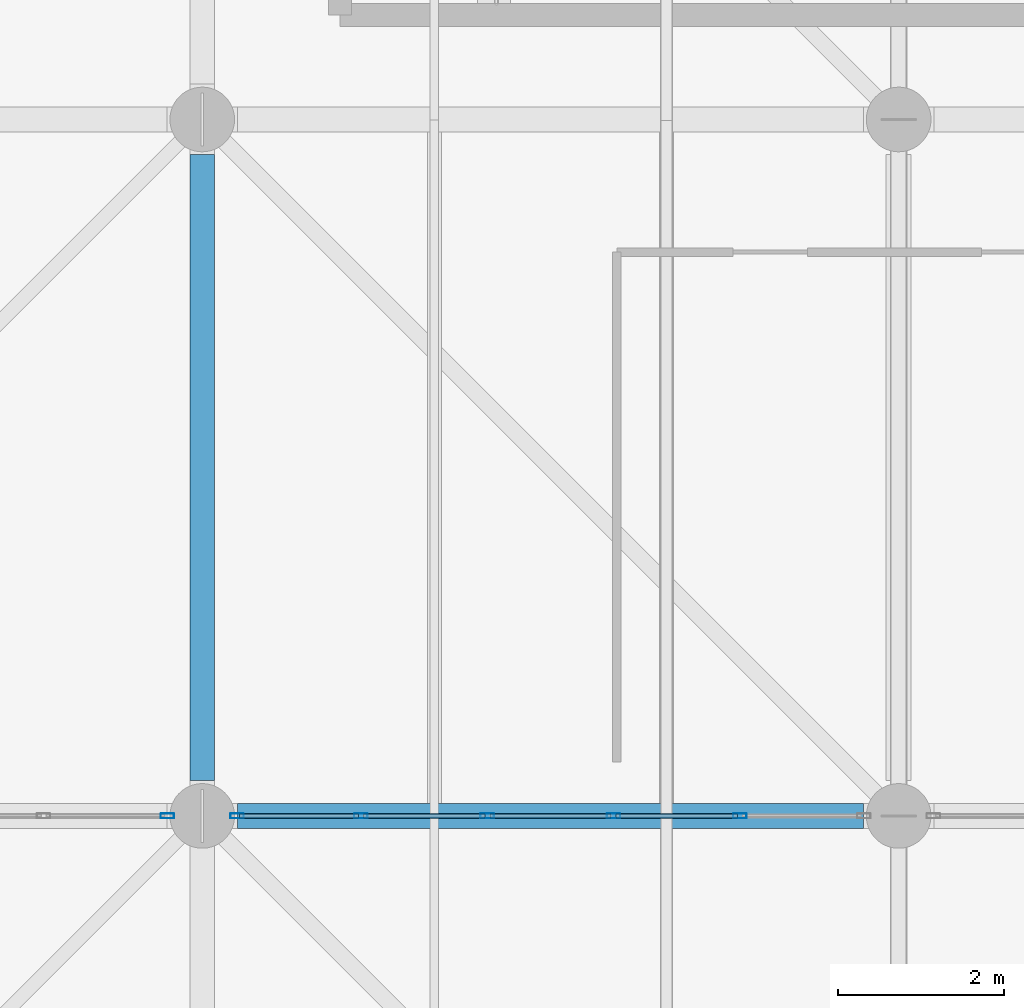
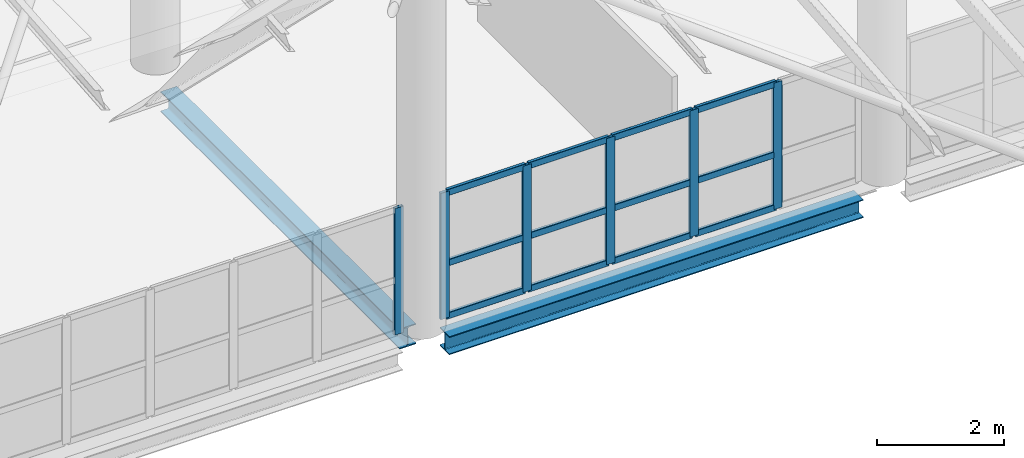
# One storey, part 29 of 95: 18 members, 2 beams, 2 elements without a shape of their own.
"""IFC4 building model written with IfcOpenShell, lengths in metres."""

from ifc_helpers import new_model, si_unit, direction, frame, origin, origin_2d, place, context, subcontext, project, spatial, hollow_rectangle, i_section, extrude, material, layer, layer_set, material_profile, profile_set, type_object, element, aggregate, save


model = new_model("IFC4")

# Units and contexts
model_context = context("Model", 3, precision=1e-05, world=origin(), true_north=direction((0.0, 1.0)))
body_context = subcontext(model_context, "Body", "Model", "MODEL_VIEW")
ifc_project = project(units=[si_unit("LENGTHUNIT", "METRE"), si_unit("AREAUNIT", "SQUARE_METRE"), si_unit("VOLUMEUNIT", "CUBIC_METRE"), si_unit("PLANEANGLEUNIT", "RADIAN"), si_unit("MASSUNIT", "GRAM", prefix="KILO"), si_unit("THERMODYNAMICTEMPERATUREUNIT", "KELVIN"), si_unit("POWERUNIT", "WATT")], contexts=[model_context])

# Site, building, storey
site_placement = place(None, origin())
site = spatial("IfcSite", under=ifc_project, at=site_placement, CompositionType="ELEMENT")
building_placement = place(site_placement, origin())
building = spatial("IfcBuilding", under=site, at=building_placement, Name="Mavoryth Pier Ferry Terminal", CompositionType="ELEMENT")
storey_placement = place(building_placement, frame((0.0, 0.0, 9.60009765625)))
storey = spatial("IfcBuildingStorey", under=building, at=storey_placement, Name="L02", CompositionType="ELEMENT", Elevation=9.60009765625)

# Beam
ifc_material_1 = material(Name="Steel S355J2", Category="steel")
ifc_material_profile_1 = material_profile(ifc_material_1, i_section(OverallWidth=0.300048828125, OverallDepth=0.389892578125, WebThickness=0.010986328125, FlangeThickness=0.01904296875, FilletRadius=0.027099609375, at=origin_2d()), Name="HEA 400", Category="steel")
ifc_profile_set_1 = profile_set([ifc_material_profile_1], Name="Steel S355J2 - HEA 400")
beam_type_1 = type_object("IfcBeamType", Name="Beam-Steel-HEA400", PredefinedType="BEAM", material=ifc_profile_set_1)
beam_1_placement = place(storey_placement, frame((16.800048828125, 72.824951171875, -0.47509765625), z_axis=(0.0, 1.0, 0.0), x_axis=(-1.0, 0.0, 0.0)))
element("IfcBeam", 1, at=beam_1_placement, inside=storey, type_object=beam_type_1, Name="Beam B02-SB04-0638", PredefinedType="BEAM", context=body_context, shape_type="SweptSolid", body=[
    extrude(i_section(OverallWidth=0.300048828125, OverallDepth=0.389892578125, WebThickness=0.010986328125, FlangeThickness=0.01904296875, FilletRadius=0.027099609375, at=origin_2d()), origin(), (0.0, 0.0, 1.0), 7.550048828125),
])

# Curtain wall, member
ifc_material_2 = material(Name="Anodised Aluminium and Solar-Control Low-E Glass", Category="aluminium")
ifc_layer = layer(ifc_material_2, 0.179931640625, Name="Anodised Aluminium and Solar-Control Low-E Glass", Category="aluminium")
ifc_layer_set = layer_set([ifc_layer], Name="Anodised Aluminium and Solar-Control Low-E Glass - CW-Concourse-Mod1400")
curtain_wall_type = type_object("IfcCurtainWallType", Name="CW-Concourse-Mod1400", PredefinedType="USERDEFINED", material=ifc_layer_set)
curtain_wall_1_placement = place(storey_placement, origin())
curtain_wall_1 = element("IfcCurtainWall", 2, at=curtain_wall_1_placement, inside=storey, type_object=curtain_wall_type, Name="Curtain Wall CW-0222-042", ObjectType="UNITISED CURTAIN WALL", PredefinedType="USERDEFINED")
ifc_material_3 = material(Name="Anodised Aluminium EN AW-6063", Category="aluminium")
ifc_material_profile_2 = material_profile(ifc_material_3, hollow_rectangle(XDim=0.06005859375, YDim=0.1650390625, WallThickness=0.00390625, InnerFilletRadius=0.00390625, OuterFilletRadius=0.008056640625, at=origin_2d()), Name="AL-MULL 165x60x4", Category="aluminium")
ifc_profile_set_2 = profile_set([ifc_material_profile_2], Name="Anodised Aluminium EN AW-6063 - AL-MULL 165x60x4")
member_type_1 = type_object("IfcMemberType", Name="Mullion-Alum-165x60", PredefinedType="MULLION", material=ifc_profile_set_2)
member_1_placement = place(storey_placement, frame((16.3798828125, 72.39990234375, 0.0), z_axis=(0.0, 0.0, 1.0), x_axis=(0.0, 1.0, 0.0)))
member_1 = element("IfcMember", 3, at=member_1_placement, type_object=member_type_1, Name="CW01 mullion 6", PredefinedType="MULLION", context=body_context, shape_type="SweptSolid", body=[
    extrude(hollow_rectangle(XDim=0.06005859375, YDim=0.1650390625, WallThickness=0.00390625, InnerFilletRadius=0.00390625, OuterFilletRadius=0.008056640625, at=origin_2d()), origin(), (0.0, 0.0, 1.0), 2.435791015625),
])
aggregate(curtain_wall_1, [member_1])

# Curtain wall, members
curtain_wall_2_placement = place(storey_placement, origin())
curtain_wall_2 = element("IfcCurtainWall", 4, at=curtain_wall_2_placement, inside=storey, type_object=curtain_wall_type, Name="Curtain Wall CW-0222-045", ObjectType="UNITISED CURTAIN WALL", PredefinedType="USERDEFINED")
member_2_placement = place(storey_placement, frame((17.219970703125, 72.39990234375, 0.0), z_axis=(0.0, 0.0, 1.0), x_axis=(0.0, 1.0, 0.0)))
member_2 = element("IfcMember", 5, at=member_2_placement, type_object=member_type_1, Name="CW01 mullion 1", PredefinedType="MULLION", context=body_context, shape_type="SweptSolid", body=[
    extrude(hollow_rectangle(XDim=0.06005859375, YDim=0.1650390625, WallThickness=0.00390625, InnerFilletRadius=0.00390625, OuterFilletRadius=0.008056640625, at=origin_2d()), origin(), (0.0, 0.0, 1.0), 2.435791015625),
])
member_3_placement = place(storey_placement, frame((18.714111328125, 72.39990234375, 0.0), z_axis=(0.0, 0.0, 1.0), x_axis=(0.0, 1.0, 0.0)))
member_3 = element("IfcMember", 6, at=member_3_placement, type_object=member_type_1, Name="CW01 mullion 2", PredefinedType="MULLION", context=body_context, shape_type="SweptSolid", body=[
    extrude(hollow_rectangle(XDim=0.06005859375, YDim=0.1650390625, WallThickness=0.00390625, InnerFilletRadius=0.00390625, OuterFilletRadius=0.008056640625, at=origin_2d()), origin(), (0.0, 0.0, 1.0), 2.435791015625),
])
member_4_placement = place(storey_placement, frame((20.238037109375, 72.39990234375, 0.0), z_axis=(0.0, 0.0, 1.0), x_axis=(0.0, 1.0, 0.0)))
member_4 = element("IfcMember", 7, at=member_4_placement, type_object=member_type_1, Name="CW01 mullion 3", PredefinedType="MULLION", context=body_context, shape_type="SweptSolid", body=[
    extrude(hollow_rectangle(XDim=0.06005859375, YDim=0.1650390625, WallThickness=0.00390625, InnerFilletRadius=0.00390625, OuterFilletRadius=0.008056640625, at=origin_2d()), origin(), (0.0, 0.0, 1.0), 2.435791015625),
])
member_5_placement = place(storey_placement, frame((21.761962890625, 72.39990234375, 0.0), z_axis=(0.0, 0.0, 1.0), x_axis=(0.0, 1.0, 0.0)))
member_5 = element("IfcMember", 8, at=member_5_placement, type_object=member_type_1, Name="CW01 mullion 4", PredefinedType="MULLION", context=body_context, shape_type="SweptSolid", body=[
    extrude(hollow_rectangle(XDim=0.06005859375, YDim=0.1650390625, WallThickness=0.00390625, InnerFilletRadius=0.00390625, OuterFilletRadius=0.008056640625, at=origin_2d()), origin(), (0.0, 0.0, 1.0), 2.435791015625),
])
member_6_placement = place(storey_placement, frame((23.285888671875, 72.39990234375, 0.0), z_axis=(0.0, 0.0, 1.0), x_axis=(0.0, 1.0, 0.0)))
member_6 = element("IfcMember", 9, at=member_6_placement, type_object=member_type_1, Name="CW01 mullion 5", PredefinedType="MULLION", context=body_context, shape_type="SweptSolid", body=[
    extrude(hollow_rectangle(XDim=0.06005859375, YDim=0.1650390625, WallThickness=0.00390625, InnerFilletRadius=0.00390625, OuterFilletRadius=0.008056640625, at=origin_2d()), origin(), (0.0, 0.0, 1.0), 2.435791015625),
])

# Beam
ifc_material_profile_3 = material_profile(ifc_material_1, i_section(OverallWidth=0.300048828125, OverallDepth=0.35009765625, WebThickness=0.010009765625, FlangeThickness=0.017578125, FilletRadius=0.027099609375, at=origin_2d()), Name="HEA 360", Category="steel")
ifc_profile_set_3 = profile_set([ifc_material_profile_3], Name="Steel S355J2 - HEA 360")
beam_type_2 = type_object("IfcBeamType", Name="Spandrel-Steel-HEA360", PredefinedType="SPANDREL", material=ifc_profile_set_3)
beam_2_placement = place(storey_placement, frame((17.22509765625, 72.39990234375, -0.455078125), z_axis=(1.0, 0.0, 0.0), x_axis=(0.0, 1.0, 0.0)))
element("IfcBeam", 10, at=beam_2_placement, inside=storey, type_object=beam_type_2, Name="Beam B02-SP03-0606", PredefinedType="SPANDREL", context=body_context, shape_type="SweptSolid", body=[
    extrude(i_section(OverallWidth=0.300048828125, OverallDepth=0.35009765625, WebThickness=0.010009765625, FlangeThickness=0.017578125, FilletRadius=0.027099609375, at=origin_2d()), origin(), (0.0, 0.0, 1.0), 7.5498046875),
])

# Member
ifc_material_profile_4 = material_profile(ifc_material_3, hollow_rectangle(XDim=0.06005859375, YDim=0.125, WallThickness=0.00390625, InnerFilletRadius=0.00390625, OuterFilletRadius=0.008056640625, at=origin_2d()), Name="AL-TRAN 125x60x4", Category="aluminium")
ifc_profile_set_4 = profile_set([ifc_material_profile_4], Name="Anodised Aluminium EN AW-6063 - AL-TRAN 125x60x4")
member_type_2 = type_object("IfcMemberType", Name="Transom-Alum-125x60", PredefinedType="USERDEFINED", material=ifc_profile_set_4)
member_7_placement = place(storey_placement, frame((17.25, 72.39990234375, 0.02978515625), z_axis=(1.0, 0.0, 0.0), x_axis=(0.0, 1.0, 0.0)))
member_7 = element("IfcMember", 11, at=member_7_placement, type_object=member_type_2, Name="CW01 transom 1.1", ObjectType="TRANSOM", PredefinedType="USERDEFINED", context=body_context, shape_type="SweptSolid", body=[
    extrude(hollow_rectangle(XDim=0.06005859375, YDim=0.125, WallThickness=0.00390625, InnerFilletRadius=0.00390625, OuterFilletRadius=0.008056640625, at=origin_2d()), origin(), (0.0, 0.0, 1.0), 1.43408203125),
])

member_8_placement = place(storey_placement, frame((17.25, 72.39990234375, 1.0498046875), z_axis=(1.0, 0.0, 0.0), x_axis=(0.0, 1.0, 0.0)))
member_8 = element("IfcMember", 12, at=member_8_placement, type_object=member_type_2, Name="CW01 transom 1.2", ObjectType="TRANSOM", PredefinedType="USERDEFINED", context=body_context, shape_type="SweptSolid", body=[
    extrude(hollow_rectangle(XDim=0.06005859375, YDim=0.125, WallThickness=0.00390625, InnerFilletRadius=0.00390625, OuterFilletRadius=0.008056640625, at=origin_2d()), origin(), (0.0, 0.0, 1.0), 1.43408203125),
])

member_9_placement = place(storey_placement, frame((17.25, 72.39990234375, 2.406005859375), z_axis=(1.0, 0.0, 0.0), x_axis=(0.0, 1.0, 0.0)))
member_9 = element("IfcMember", 13, at=member_9_placement, type_object=member_type_2, Name="CW01 transom 1.3", ObjectType="TRANSOM", PredefinedType="USERDEFINED", context=body_context, shape_type="SweptSolid", body=[
    extrude(hollow_rectangle(XDim=0.06005859375, YDim=0.125, WallThickness=0.00390625, InnerFilletRadius=0.00390625, OuterFilletRadius=0.008056640625, at=origin_2d()), origin(), (0.0, 0.0, 1.0), 1.43408203125),
])

member_10_placement = place(storey_placement, frame((18.743896484375, 72.39990234375, 0.02978515625), z_axis=(1.0, 0.0, 0.0), x_axis=(0.0, 1.0, 0.0)))
member_10 = element("IfcMember", 14, at=member_10_placement, type_object=member_type_2, Name="CW01 transom 2.1", ObjectType="TRANSOM", PredefinedType="USERDEFINED", context=body_context, shape_type="SweptSolid", body=[
    extrude(hollow_rectangle(XDim=0.06005859375, YDim=0.125, WallThickness=0.00390625, InnerFilletRadius=0.00390625, OuterFilletRadius=0.008056640625, at=origin_2d()), origin(), (0.0, 0.0, 1.0), 1.464111328125),
])

member_11_placement = place(storey_placement, frame((18.743896484375, 72.39990234375, 1.0498046875), z_axis=(1.0, 0.0, 0.0), x_axis=(0.0, 1.0, 0.0)))
member_11 = element("IfcMember", 15, at=member_11_placement, type_object=member_type_2, Name="CW01 transom 2.2", ObjectType="TRANSOM", PredefinedType="USERDEFINED", context=body_context, shape_type="SweptSolid", body=[
    extrude(hollow_rectangle(XDim=0.06005859375, YDim=0.125, WallThickness=0.00390625, InnerFilletRadius=0.00390625, OuterFilletRadius=0.008056640625, at=origin_2d()), origin(), (0.0, 0.0, 1.0), 1.464111328125),
])

member_12_placement = place(storey_placement, frame((18.743896484375, 72.39990234375, 2.406005859375), z_axis=(1.0, 0.0, 0.0), x_axis=(0.0, 1.0, 0.0)))
member_12 = element("IfcMember", 16, at=member_12_placement, type_object=member_type_2, Name="CW01 transom 2.3", ObjectType="TRANSOM", PredefinedType="USERDEFINED", context=body_context, shape_type="SweptSolid", body=[
    extrude(hollow_rectangle(XDim=0.06005859375, YDim=0.125, WallThickness=0.00390625, InnerFilletRadius=0.00390625, OuterFilletRadius=0.008056640625, at=origin_2d()), origin(), (0.0, 0.0, 1.0), 1.464111328125),
])

member_13_placement = place(storey_placement, frame((20.26806640625, 72.39990234375, 0.02978515625), z_axis=(1.0, 0.0, 0.0), x_axis=(0.0, 1.0, 0.0)))
member_13 = element("IfcMember", 17, at=member_13_placement, type_object=member_type_2, Name="CW01 transom 3.1", ObjectType="TRANSOM", PredefinedType="USERDEFINED", context=body_context, shape_type="SweptSolid", body=[
    extrude(hollow_rectangle(XDim=0.06005859375, YDim=0.125, WallThickness=0.00390625, InnerFilletRadius=0.00390625, OuterFilletRadius=0.008056640625, at=origin_2d()), origin(), (0.0, 0.0, 1.0), 1.4638671875),
])

member_14_placement = place(storey_placement, frame((20.26806640625, 72.39990234375, 1.0498046875), z_axis=(1.0, 0.0, 0.0), x_axis=(0.0, 1.0, 0.0)))
member_14 = element("IfcMember", 18, at=member_14_placement, type_object=member_type_2, Name="CW01 transom 3.2", ObjectType="TRANSOM", PredefinedType="USERDEFINED", context=body_context, shape_type="SweptSolid", body=[
    extrude(hollow_rectangle(XDim=0.06005859375, YDim=0.125, WallThickness=0.00390625, InnerFilletRadius=0.00390625, OuterFilletRadius=0.008056640625, at=origin_2d()), origin(), (0.0, 0.0, 1.0), 1.4638671875),
])

member_15_placement = place(storey_placement, frame((20.26806640625, 72.39990234375, 2.406005859375), z_axis=(1.0, 0.0, 0.0), x_axis=(0.0, 1.0, 0.0)))
member_15 = element("IfcMember", 19, at=member_15_placement, type_object=member_type_2, Name="CW01 transom 3.3", ObjectType="TRANSOM", PredefinedType="USERDEFINED", context=body_context, shape_type="SweptSolid", body=[
    extrude(hollow_rectangle(XDim=0.06005859375, YDim=0.125, WallThickness=0.00390625, InnerFilletRadius=0.00390625, OuterFilletRadius=0.008056640625, at=origin_2d()), origin(), (0.0, 0.0, 1.0), 1.4638671875),
])

member_16_placement = place(storey_placement, frame((21.7919921875, 72.39990234375, 0.02978515625), z_axis=(1.0, 0.0, 0.0), x_axis=(0.0, 1.0, 0.0)))
member_16 = element("IfcMember", 20, at=member_16_placement, type_object=member_type_2, Name="CW01 transom 4.1", ObjectType="TRANSOM", PredefinedType="USERDEFINED", context=body_context, shape_type="SweptSolid", body=[
    extrude(hollow_rectangle(XDim=0.06005859375, YDim=0.125, WallThickness=0.00390625, InnerFilletRadius=0.00390625, OuterFilletRadius=0.008056640625, at=origin_2d()), origin(), (0.0, 0.0, 1.0), 1.464111328125),
])

member_17_placement = place(storey_placement, frame((21.7919921875, 72.39990234375, 1.0498046875), z_axis=(1.0, 0.0, 0.0), x_axis=(0.0, 1.0, 0.0)))
member_17 = element("IfcMember", 21, at=member_17_placement, type_object=member_type_2, Name="CW01 transom 4.2", ObjectType="TRANSOM", PredefinedType="USERDEFINED", context=body_context, shape_type="SweptSolid", body=[
    extrude(hollow_rectangle(XDim=0.06005859375, YDim=0.125, WallThickness=0.00390625, InnerFilletRadius=0.00390625, OuterFilletRadius=0.008056640625, at=origin_2d()), origin(), (0.0, 0.0, 1.0), 1.464111328125),
])

member_18_placement = place(storey_placement, frame((21.7919921875, 72.39990234375, 2.406005859375), z_axis=(1.0, 0.0, 0.0), x_axis=(0.0, 1.0, 0.0)))
member_18 = element("IfcMember", 22, at=member_18_placement, type_object=member_type_2, Name="CW01 transom 4.3", ObjectType="TRANSOM", PredefinedType="USERDEFINED", context=body_context, shape_type="SweptSolid", body=[
    extrude(hollow_rectangle(XDim=0.06005859375, YDim=0.125, WallThickness=0.00390625, InnerFilletRadius=0.00390625, OuterFilletRadius=0.008056640625, at=origin_2d()), origin(), (0.0, 0.0, 1.0), 1.464111328125),
])

aggregate(curtain_wall_2, [member_2, member_3, member_4, member_5, member_6, member_7, member_8, member_9, member_10, member_11, member_12, member_13, member_14, member_15, member_16, member_17, member_18])

save(model, "model.ifc")
